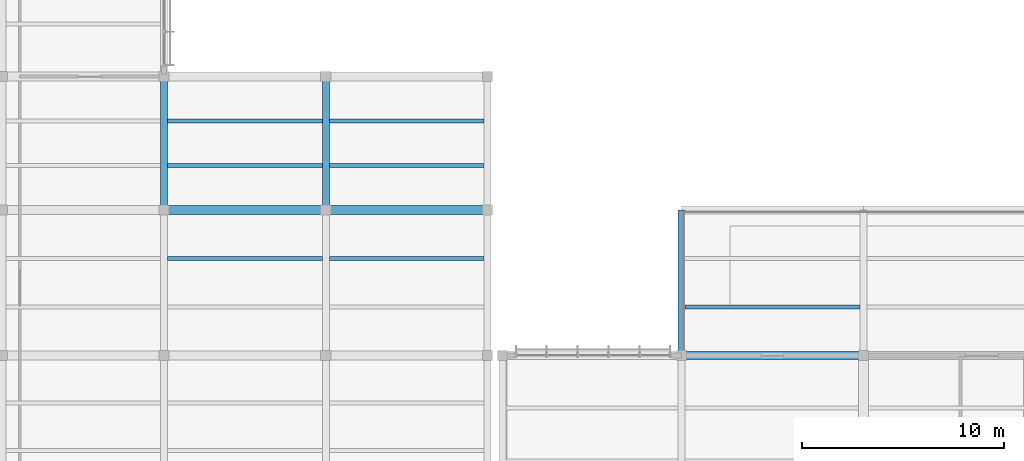
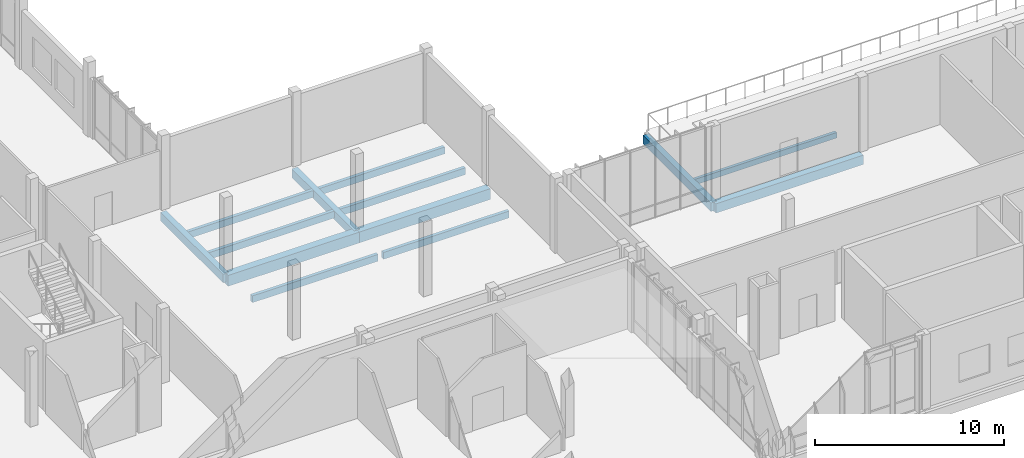
# One storey, part 42 of 177: 13 beams.
"""IFC4 building model written with IfcOpenShell, lengths in metres."""

from ifc_helpers import new_model, si_unit, direction, frame, origin, origin_2d, place, context, subcontext, project, spatial, rectangle, extrude, material, material_profile, profile_set, type_object, element, save


model = new_model("IFC4")

# Units and contexts
model_context = context("Model", 3, precision=1e-05, world=origin(), true_north=direction((0.0, 1.0)))
body_context = subcontext(model_context, "Body", "Model", "MODEL_VIEW")
ifc_project = project(units=[si_unit("LENGTHUNIT", "METRE"), si_unit("AREAUNIT", "SQUARE_METRE"), si_unit("VOLUMEUNIT", "CUBIC_METRE"), si_unit("PLANEANGLEUNIT", "RADIAN"), si_unit("MASSUNIT", "GRAM", prefix="KILO")], contexts=[model_context])

# Site, building, storey
site_placement = place(None, origin())
site = spatial("IfcSite", under=ifc_project, at=site_placement, CompositionType="ELEMENT")
building_placement = place(site_placement, origin())
building = spatial("IfcBuilding", under=site, at=building_placement, Name="Chiffa Square Polytechnic", CompositionType="ELEMENT")
storey_placement = place(building_placement, frame((0.0, 0.0, 4.800048828125)))
storey = spatial("IfcBuildingStorey", under=building, at=storey_placement, Name="L01", CompositionType="ELEMENT", Elevation=4.800048828125)

# Beams
ifc_material_1 = material(Name="Concrete C35/45", Category="concrete")
ifc_material_profile_1 = material_profile(ifc_material_1, rectangle(XDim=0.35009765625, YDim=0.550048828125, at=origin_2d()), Name="RC 350x550")
ifc_profile_set_1 = profile_set([ifc_material_profile_1], Name="Concrete C35/45")
beam_type_1 = type_object("IfcBeamType", Name="BM-RC-350X550", PredefinedType="BEAM", material=ifc_profile_set_1)
beam_1_placement = place(storey_placement, frame((57.60009765625, 43.800048828125, -0.554931640625), z_axis=(0.0, 1.0, 0.0), x_axis=(-1.0, 0.0, 0.0)))
element("IfcBeam", 1, at=beam_1_placement, inside=storey, type_object=beam_type_1, Name="Primary floor girder BM-V4-L01-Y-0576-0438", PredefinedType="BEAM", context=body_context, shape_type="SweptSolid", body=[
    extrude(rectangle(XDim=0.35009765625, YDim=0.550048828125, at=origin_2d()), origin(), (0.0, 0.0, 1.0), 7.199951171875),
])
for number, where, z_axis, x_axis, name in (
    (2, (32.0, 51.0, -0.554931640625), (0.0, 1.0, 0.0), (-1.0, 0.0, 0.0), "Primary floor girder BM-V6-L01-Y-0320-0510"),
    (3, (40.0, 51.0, -0.554931640625), (0.0, 1.0, 0.0), (-1.0, 0.0, 0.0), "Primary floor girder BM-V6-L01-Y-0400-0510"),
):
    element("IfcBeam", number, at=place(storey_placement, frame(where, z_axis=z_axis, x_axis=x_axis)), inside=storey, type_object=beam_type_1, Name=name, PredefinedType="BEAM", context=body_context, shape_type="SweptSolid", body=[
        extrude(rectangle(XDim=0.35009765625, YDim=0.550048828125, at=origin_2d()), origin(), (0.0, 0.0, 1.0), 6.60009765625),
    ])
ifc_material_profile_2 = material_profile(ifc_material_1, rectangle(XDim=0.39990234375, YDim=0.60009765625, at=origin_2d()), Name="RC 400x600")
ifc_profile_set_2 = profile_set([ifc_material_profile_2], Name="Concrete C35/45")
beam_type_2 = type_object("IfcBeamType", Name="BM-RC-400X600", PredefinedType="BEAM", material=ifc_profile_set_2)
beam_2_placement = place(storey_placement, frame((57.60009765625, 43.800048828125, -0.580078125), z_axis=(1.0, 0.0, 0.0), x_axis=(0.0, 1.0, 0.0)))
element("IfcBeam", 4, at=beam_2_placement, inside=storey, type_object=beam_type_2, Name="Primary floor girder BM-V4-L01-X-0576-0438", PredefinedType="BEAM", context=body_context, shape_type="SweptSolid", body=[
    extrude(rectangle(XDim=0.39990234375, YDim=0.60009765625, at=origin_2d()), origin(), (0.0, 0.0, 1.0), 9.0),
])
ifc_material_profile_3 = material_profile(ifc_material_1, rectangle(XDim=0.449951171875, YDim=0.699951171875, at=origin_2d()), Name="RC 450x700")
ifc_profile_set_3 = profile_set([ifc_material_profile_3], Name="Concrete C35/45")
beam_type_3 = type_object("IfcBeamType", Name="BM-RC-450X700", PredefinedType="BEAM", material=ifc_profile_set_3)
for number, where, z_axis, x_axis, name in (
    (5, (32.0, 51.0, -0.630126953125), (1.0, 0.0, 0.0), (0.0, 1.0, 0.0), "Primary floor girder BM-V6-L01-X-0320-0510"),
    (6, (40.0, 51.0, -0.630126953125), (1.0, 0.0, 0.0), (0.0, 1.0, 0.0), "Primary floor girder BM-V6-L01-X-0400-0510"),
):
    element("IfcBeam", number, at=place(storey_placement, frame(where, z_axis=z_axis, x_axis=x_axis)), inside=storey, type_object=beam_type_3, Name=name, PredefinedType="BEAM", context=body_context, shape_type="SweptSolid", body=[
        extrude(rectangle(XDim=0.449951171875, YDim=0.699951171875, at=origin_2d()), origin(), (0.0, 0.0, 1.0), 8.0),
    ])
ifc_material_2 = material(Name="Glulam GL28h", Category="wood")
ifc_material_profile_4 = material_profile(ifc_material_2, rectangle(XDim=0.179931640625, YDim=0.360107421875, at=origin_2d()), Name="GL28h 180x360")
ifc_profile_set_4 = profile_set([ifc_material_profile_4], Name="Glulam GL28h")
beam_type_4 = type_object("IfcBeamType", Name="JST-GL-180X360", PredefinedType="JOIST", material=ifc_profile_set_4)
beam_3_placement = place(storey_placement, frame((57.77294921875, 46.199951171875, -0.4599609375), z_axis=(1.0, 0.0, 0.0), x_axis=(0.0, 1.0, 0.0)))
element("IfcBeam", 7, at=beam_3_placement, inside=storey, type_object=beam_type_4, Name="Secondary floor joist JST-V4-L01-0576-0462", PredefinedType="JOIST", context=body_context, shape_type="SweptSolid", body=[
    extrude(rectangle(XDim=0.179931640625, YDim=0.360107421875, at=origin_2d()), origin(), (0.0, 0.0, 1.0), 8.654052734375),
])
ifc_material_profile_5 = material_profile(ifc_material_2, rectangle(XDim=0.199951171875, YDim=0.43994140625, at=origin_2d()), Name="GL28h 200x440")
ifc_profile_set_5 = profile_set([ifc_material_profile_5], Name="Glulam GL28h")
beam_type_5 = type_object("IfcBeamType", Name="JST-GL-200X440", PredefinedType="JOIST", material=ifc_profile_set_5)
for number, where, z_axis, x_axis, name in (
    (8, (32.173095703125, 48.60009765625, -0.5), (1.0, 0.0, 0.0), (0.0, 1.0, 0.0), "Secondary floor joist JST-V6-L01-0320-0486"),
    (9, (32.173095703125, 53.199951171875, -0.5), (1.0, 0.0, 0.0), (0.0, 1.0, 0.0), "Secondary floor joist JST-V6-L01-0320-0532"),
    (10, (32.173095703125, 55.39990234375, -0.5), (1.0, 0.0, 0.0), (0.0, 1.0, 0.0), "Secondary floor joist JST-V6-L01-0320-0554"),
    (11, (40.173095703125, 48.60009765625, -0.5), (1.0, 0.0, 0.0), (0.0, 1.0, 0.0), "Secondary floor joist JST-V6-L01-0400-0486"),
    (12, (40.173095703125, 53.199951171875, -0.5), (1.0, 0.0, 0.0), (0.0, 1.0, 0.0), "Secondary floor joist JST-V6-L01-0400-0532"),
    (13, (40.173095703125, 55.39990234375, -0.5), (1.0, 0.0, 0.0), (0.0, 1.0, 0.0), "Secondary floor joist JST-V6-L01-0400-0554"),
):
    element("IfcBeam", number, at=place(storey_placement, frame(where, z_axis=z_axis, x_axis=x_axis)), inside=storey, type_object=beam_type_5, Name=name, PredefinedType="JOIST", context=body_context, shape_type="SweptSolid", body=[
        extrude(rectangle(XDim=0.199951171875, YDim=0.43994140625, at=origin_2d()), origin(), (0.0, 0.0, 1.0), 7.65380859375),
    ])

save(model, "model.ifc")
